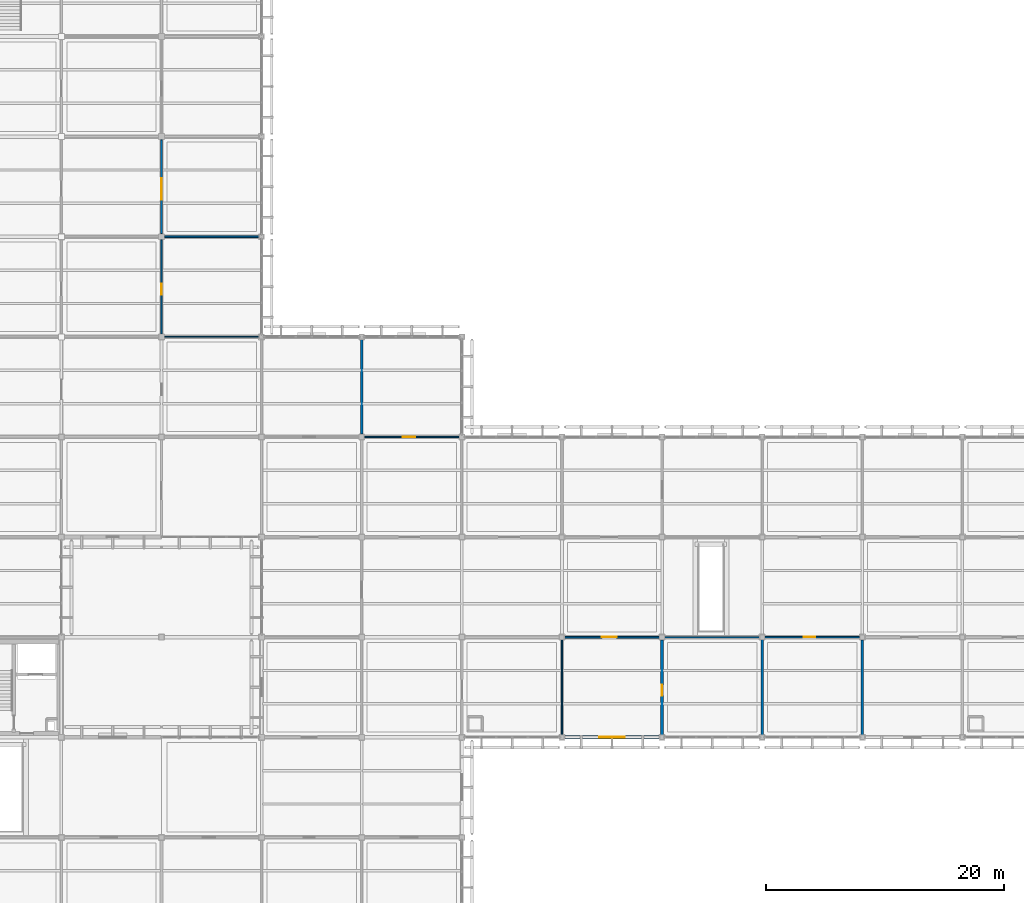
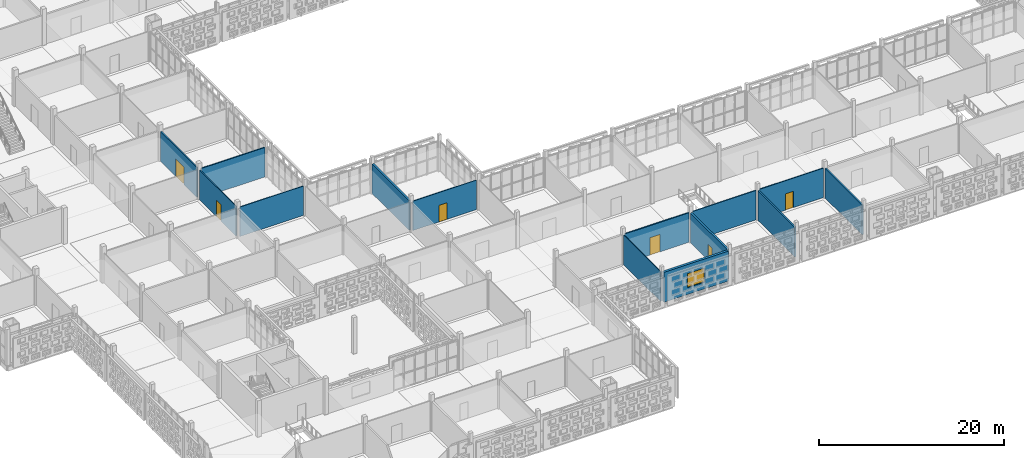
# One storey, part 116 of 203: 14 walls, 6 doors, 1 window, 7 openings.
"""IFC4 building model written with IfcOpenShell, lengths in metres."""

from ifc_helpers import new_model, si_unit, direction, frame, frame_2d, origin, place, context, subcontext, project, spatial, rectangle, extrude, material, layer, layer_set, type_object, element, fill, save


model = new_model("IFC4")

# Units and contexts
model_context = context("Model", 3, precision=1e-05, world=origin(), true_north=direction((0.0, 1.0)))
body_context = subcontext(model_context, "Body", "Model", "MODEL_VIEW")
ifc_project = project(units=[si_unit("LENGTHUNIT", "METRE"), si_unit("AREAUNIT", "SQUARE_METRE"), si_unit("VOLUMEUNIT", "CUBIC_METRE"), si_unit("PLANEANGLEUNIT", "RADIAN"), si_unit("MASSUNIT", "GRAM", prefix="KILO")], contexts=[model_context])

# Site, building, storey
site_placement = place(None, origin())
site = spatial("IfcSite", under=ifc_project, at=site_placement, CompositionType="ELEMENT")
building_placement = place(site_placement, origin())
building = spatial("IfcBuilding", under=site, at=building_placement, Name="Varnapada Polytechnic", CompositionType="ELEMENT")
storey_placement = place(building_placement, frame((0.0, 0.0, 4.800048828125)))
storey = spatial("IfcBuildingStorey", under=building, at=storey_placement, Name="L01", CompositionType="ELEMENT", Elevation=4.800048828125)

# Wall, opening, door
ifc_material_1 = material(Name="Autoclaved Aerated Concrete Block AAC-600", Category="concrete")
ifc_layer_1 = layer(ifc_material_1, 0.14990234375)
ifc_layer_set_1 = layer_set([ifc_layer_1], Name="Autoclaved Aerated Concrete Block AAC-600")
wall_type_1 = type_object("IfcWallType", Name="Interior Wall IW-02", PredefinedType="PARTITIONING", material=ifc_layer_set_1)
wall_1_placement = place(storey_placement, frame((67.409912109375, 25.199951171875, 0.0), z_axis=(0.0, 0.0, 1.0), x_axis=(1.0, 0.0, 0.0)))
wall_1 = element("IfcWall", 1, at=wall_1_placement, inside=storey, type_object=wall_type_1, Name="L01 interior partition IW-L01-08-02-H", PredefinedType="PARTITIONING", context=body_context, shape_type="SweptSolid", body=[
    extrude(rectangle(XDim=7.969970703125, YDim=0.14990234375, at=frame_2d((3.98486328125, 0.0))), origin(), (0.0, 0.0, 1.0), 3.889892578125),
])
opening_1_placement = place(wall_1_placement, frame((3.125, 0.0, 0.0)))
opening_1 = element("IfcOpeningElement", 2, at=opening_1_placement, cuts=wall_1, Name="Opening D-1017", PredefinedType="OPENING", context=body_context, shape_type="SweptSolid", body=[
    extrude(rectangle(XDim=1.25, YDim=2.300048828125, at=frame_2d((0.625, 1.14990234375))), frame((0.0, 0.0849609375, 0.0), z_axis=(0.0, -1.0, 0.0), x_axis=(1.0, 0.0, 0.0)), (0.0, 0.0, 1.0), 0.169921875),
])
ifc_material_2 = material(Name="Solid Teak Hardwood Timber", Category="wood")
door_type_1 = type_object("IfcDoorType", Name="Interior Door ID-16", OperationType="NOTDEFINED", PredefinedType="DOOR", material=ifc_material_2)
door_1_placement = place(opening_1_placement, origin())
door_1 = element("IfcDoor", 3, at=door_1_placement, inside=storey, type_object=door_type_1, Name="L01 interior room door D-1017", OperationType="SINGLE_SWING_RIGHT", OverallHeight=2.300048828125, OverallWidth=1.25, PredefinedType="DOOR", context=body_context, shape_type="SweptSolid", body=[
    extrude(rectangle(XDim=1.25, YDim=2.300048828125, at=frame_2d((0.625, 1.14990234375))), frame((0.0, 0.02490234375, 0.0), z_axis=(0.0, -1.0, 0.0), x_axis=(1.0, 0.0, 0.0)), (0.0, 0.0, 1.0), 0.050048828125),
])
fill(opening_1, door_1)

ifc_material_3 = material(Name="Gypsum Plasterboard Acoustic Partition")
ifc_layer_2 = layer(ifc_material_3, 0.125)
ifc_layer_set_2 = layer_set([ifc_layer_2], Name="Gypsum Plasterboard Acoustic Partition")
wall_type_2 = type_object("IfcWallType", Name="Interior Wall IW-03", PredefinedType="PARTITIONING", material=ifc_layer_set_2)
wall_2_placement = place(storey_placement, frame((33.60009765625, 50.64990234375, 0.0), z_axis=(0.0, 0.0, 1.0), x_axis=(0.0, 1.0, 0.0)))
wall_2 = element("IfcWall", 4, at=wall_2_placement, inside=storey, type_object=wall_type_2, Name="L01 interior partition IW-L01-03-06-V", PredefinedType="PARTITIONING", context=body_context, shape_type="SweptSolid", body=[
    extrude(rectangle(XDim=7.89013671875, YDim=0.125, at=frame_2d((3.945068359375, 0.0))), origin(), (0.0, 0.0, 1.0), 3.919921875),
])
opening_2_placement = place(wall_2_placement, frame((3.27490234375, 0.0, 0.0)))
opening_2 = element("IfcOpeningElement", 5, at=opening_2_placement, cuts=wall_2, Name="Opening D-987", PredefinedType="OPENING", context=body_context, shape_type="SweptSolid", body=[
    extrude(rectangle(XDim=0.949951171875, YDim=2.14990234375, at=frame_2d((0.47509765625, 1.074951171875))), frame((0.0, 0.072509765625, 0.0), z_axis=(0.0, -1.0, 0.0), x_axis=(1.0, 0.0, 0.0)), (0.0, 0.0, 1.0), 0.14501953125),
])
ifc_material_4 = material(Name="Moisture-Resistant HPL Timber", Category="wood")
door_type_2 = type_object("IfcDoorType", Name="Interior Door ID-03", OperationType="NOTDEFINED", PredefinedType="DOOR", material=ifc_material_4)
door_2_placement = place(opening_2_placement, origin())
door_2 = element("IfcDoor", 6, at=door_2_placement, inside=storey, type_object=door_type_2, Name="L01 interior room door D-987", OperationType="SINGLE_SWING_RIGHT", OverallHeight=2.14990234375, OverallWidth=0.949951171875, PredefinedType="DOOR", context=body_context, shape_type="SweptSolid", body=[
    extrude(rectangle(XDim=0.949951171875, YDim=2.14990234375, at=frame_2d((0.47509765625, 1.074951171875))), frame((0.0, 0.02490234375, 0.0), z_axis=(0.0, -1.0, 0.0), x_axis=(1.0, 0.0, 0.0)), (0.0, 0.0, 1.0), 0.050048828125),
])
fill(opening_2, door_2)

ifc_material_5 = material(Name="Cross-laminated timber CLT C24", Category="wood")
ifc_layer_3 = layer(ifc_material_5, 0.159912109375)
ifc_layer_set_3 = layer_set([ifc_layer_3], Name="Cross-laminated timber CLT C24")
wall_type_3 = type_object("IfcWallType", Name="Interior Wall IW-05", PredefinedType="PARTITIONING", material=ifc_layer_set_3)
wall_3_placement = place(storey_placement, frame((33.60009765625, 59.06005859375, 0.0), z_axis=(0.0, 0.0, 1.0), x_axis=(0.0, 1.0, 0.0)))
wall_3 = element("IfcWall", 7, at=wall_3_placement, inside=storey, type_object=wall_type_3, Name="L01 interior partition IW-L01-03-07-V", PredefinedType="PARTITIONING", context=body_context, shape_type="SweptSolid", body=[
    extrude(rectangle(XDim=7.869873046875, YDim=0.159912109375, at=frame_2d((3.93505859375, 0.0))), origin(), (0.0, 0.0, 1.0), 3.919921875),
])
opening_3_placement = place(wall_3_placement, frame((2.85009765625, 0.0, 0.0)))
opening_3 = element("IfcOpeningElement", 8, at=opening_3_placement, cuts=wall_3, Name="Opening D-988", PredefinedType="OPENING", context=body_context, shape_type="SweptSolid", body=[
    extrude(rectangle(XDim=1.800048828125, YDim=2.300048828125, at=frame_2d((0.89990234375, 1.14990234375))), frame((0.0, 0.08984375, 0.0), z_axis=(0.0, -1.0, 0.0), x_axis=(1.0, 0.0, 0.0)), (0.0, 0.0, 1.0), 0.179931640625),
])
ifc_material_6 = material(Name="Acoustic Double Timber Leaf", Category="wood")
door_type_3 = type_object("IfcDoorType", Name="Interior Door ID-04", OperationType="NOTDEFINED", PredefinedType="DOOR", material=ifc_material_6)
door_3_placement = place(opening_3_placement, origin())
door_3 = element("IfcDoor", 9, at=door_3_placement, inside=storey, type_object=door_type_3, Name="L01 interior room door D-988", OperationType="SINGLE_SWING_LEFT", OverallHeight=2.300048828125, OverallWidth=1.800048828125, PredefinedType="DOOR", context=body_context, shape_type="SweptSolid", body=[
    extrude(rectangle(XDim=1.800048828125, YDim=2.300048828125, at=frame_2d((0.89990234375, 1.14990234375))), frame((0.0, 0.02490234375, 0.0), z_axis=(0.0, -1.0, 0.0), x_axis=(1.0, 0.0, 0.0)), (0.0, 0.0, 1.0), 0.050048828125),
])
fill(opening_3, door_3)

# Walls
ifc_material_7 = material(Name="Acoustic Double-Stud Studio Partition")
ifc_layer_4 = layer(ifc_material_7, 0.179931640625)
ifc_layer_set_4 = layer_set([ifc_layer_4], Name="Acoustic Double-Stud Studio Partition")
wall_type_4 = type_object("IfcWallType", Name="Interior Wall IW-06", PredefinedType="PARTITIONING", material=ifc_layer_set_4)
wall_4_placement = place(storey_placement, frame((84.0, 17.0, 0.0), z_axis=(0.0, 0.0, 1.0), x_axis=(0.0, 1.0, 0.0)))
element("IfcWall", 10, at=wall_4_placement, inside=storey, type_object=wall_type_4, Name="L01 interior partition IW-L01-09-02-V", PredefinedType="PARTITIONING", context=body_context, shape_type="SweptSolid", body=[
    extrude(rectangle(XDim=7.989990234375, YDim=0.179931640625, at=frame_2d((3.9951171875, 0.0))), origin(), (0.0, 0.0, 1.0), 3.919921875),
])
ifc_material_8 = material(Name="Glazed Timber-Framed Studio Screen", Category="wood")
ifc_layer_5 = layer(ifc_material_8, 0.110107421875)
ifc_layer_set_5 = layer_set([ifc_layer_5], Name="Glazed Timber-Framed Studio Screen")
wall_type_5 = type_object("IfcWallType", Name="Interior Wall IW-07", PredefinedType="PARTITIONING", material=ifc_layer_set_5)
wall_5_placement = place(storey_placement, frame((75.820068359375, 25.199951171875, 0.0), z_axis=(0.0, 0.0, 1.0), x_axis=(1.0, 0.0, 0.0)))
element("IfcWall", 11, at=wall_5_placement, inside=storey, type_object=wall_type_5, Name="L01 interior partition IW-L01-09-02-H", PredefinedType="PARTITIONING", context=body_context, shape_type="SweptSolid", body=[
    extrude(rectangle(XDim=7.969970703125, YDim=0.110107421875, at=frame_2d((3.98486328125, 0.0))), origin(), (0.0, 0.0, 1.0), 3.889892578125),
])
ifc_material_9 = material(Name="Operable Acoustic Seminar Partition")
ifc_layer_6 = layer(ifc_material_9, 0.10009765625)
ifc_layer_set_6 = layer_set([ifc_layer_6], Name="Operable Acoustic Seminar Partition")
wall_type_6 = type_object("IfcWallType", Name="Interior Wall IW-08", PredefinedType="MOVABLE", material=ifc_layer_set_6)
wall_6_placement = place(storey_placement, frame((33.85009765625, 50.39990234375, 0.0), z_axis=(0.0, 0.0, 1.0), x_axis=(1.0, 0.0, 0.0)))
element("IfcWall", 12, at=wall_6_placement, inside=storey, type_object=wall_type_6, Name="L01 interior partition IW-L01-04-05-H", PredefinedType="MOVABLE", context=body_context, shape_type="SweptSolid", body=[
    extrude(rectangle(XDim=7.949951171875, YDim=0.10009765625, at=frame_2d((3.97509765625, 0.0))), origin(), (0.0, 0.0, 1.0), 3.889892578125),
])

# Wall, opening, door
wall_7_placement = place(storey_placement, frame((50.6298828125, 42.0, 0.0), z_axis=(0.0, 0.0, 1.0), x_axis=(1.0, 0.0, 0.0)))
wall_7 = element("IfcWall", 13, at=wall_7_placement, inside=storey, type_object=wall_type_6, Name="L01 interior partition IW-L01-06-04-H", PredefinedType="MOVABLE", context=body_context, shape_type="SweptSolid", body=[
    extrude(rectangle(XDim=7.940185546875, YDim=0.10009765625, at=frame_2d((3.97021484375, 0.0))), origin(), (0.0, 0.0, 1.0), 3.889892578125),
])
opening_4_placement = place(wall_7_placement, frame((3.22509765625, 0.0, 0.0)))
opening_4 = element("IfcOpeningElement", 14, at=opening_4_placement, cuts=wall_7, Name="Opening D-1010", PredefinedType="OPENING", context=body_context, shape_type="SweptSolid", body=[
    extrude(rectangle(XDim=1.050048828125, YDim=2.199951171875, at=frame_2d((0.52490234375, 1.10009765625))), frame((0.0, 0.06005859375, 0.0), z_axis=(0.0, -1.0, 0.0), x_axis=(1.0, 0.0, 0.0)), (0.0, 0.0, 1.0), 0.1201171875),
])
door_type_4 = type_object("IfcDoorType", Name="Interior Door ID-09", OperationType="NOTDEFINED", PredefinedType="DOOR", material=ifc_material_2)
door_4_placement = place(opening_4_placement, frame((1.050048828125, 0.0, 0.0), z_axis=(0.0, 0.0, 1.0), x_axis=(-1.0, 0.0, 0.0)))
door_4 = element("IfcDoor", 15, at=door_4_placement, inside=storey, type_object=door_type_4, Name="L01 interior room door D-1010", OperationType="SINGLE_SWING_LEFT", OverallHeight=2.199951171875, OverallWidth=1.050048828125, PredefinedType="DOOR", context=body_context, shape_type="SweptSolid", body=[
    extrude(rectangle(XDim=1.050048828125, YDim=2.199951171875, at=frame_2d((0.52490234375, 1.10009765625))), frame((0.0, 0.02490234375, 0.0), z_axis=(0.0, -1.0, 0.0), x_axis=(1.0, 0.0, 0.0)), (0.0, 0.0, 1.0), 0.050048828125),
])
fill(opening_4, door_4)

# Walls
ifc_material_10 = material(Name="Calcium Silicate Acoustic Lab Partition")
ifc_layer_7 = layer(ifc_material_10, 0.135009765625)
ifc_layer_set_7 = layer_set([ifc_layer_7], Name="Calcium Silicate Acoustic Lab Partition")
wall_type_7 = type_object("IfcWallType", Name="Interior Wall IW-09", PredefinedType="PARTITIONING", material=ifc_layer_set_7)
wall_8_placement = place(storey_placement, frame((33.860107421875, 58.800048828125, 0.0), z_axis=(0.0, 0.0, 1.0), x_axis=(1.0, 0.0, 0.0)))
element("IfcWall", 16, at=wall_8_placement, inside=storey, type_object=wall_type_7, Name="L01 interior partition IW-L01-04-06-H", PredefinedType="PARTITIONING", context=body_context, shape_type="SweptSolid", body=[
    extrude(rectangle(XDim=7.949951171875, YDim=0.135009765625, at=frame_2d((3.97509765625, 0.0))), origin(), (0.0, 0.0, 1.0), 3.889892578125),
])
ifc_material_11 = material(Name="Insulated Masonry Plant Room Wall", Category="masonry")
ifc_layer_8 = layer(ifc_material_11, 0.18994140625)
ifc_layer_set_8 = layer_set([ifc_layer_8], Name="Insulated Masonry Plant Room Wall")
wall_type_8 = type_object("IfcWallType", Name="Interior Wall IW-11", PredefinedType="PARTITIONING", material=ifc_layer_set_8)
wall_9_placement = place(storey_placement, frame((92.39990234375, 17.0, 0.0), z_axis=(0.0, 0.0, 1.0), x_axis=(0.0, 1.0, 0.0)))
element("IfcWall", 17, at=wall_9_placement, inside=storey, type_object=wall_type_8, Name="L01 interior partition IW-L01-10-02-V", PredefinedType="PARTITIONING", context=body_context, shape_type="SweptSolid", body=[
    extrude(rectangle(XDim=7.97998046875, YDim=0.18994140625, at=frame_2d((3.989990234375, 0.0))), origin(), (0.0, 0.0, 1.0), 3.919921875),
])
ifc_material_12 = material(Name="Timber-Stud Studio Critique Partition", Category="wood")
ifc_layer_9 = layer(ifc_material_12, 0.114990234375)
ifc_layer_set_9 = layer_set([ifc_layer_9], Name="Timber-Stud Studio Critique Partition")
wall_type_9 = type_object("IfcWallType", Name="Interior Wall IW-12", PredefinedType="PARTITIONING", material=ifc_layer_set_9)
wall_10_placement = place(storey_placement, frame((67.199951171875, 17.0, 0.0), z_axis=(0.0, 0.0, 1.0), x_axis=(0.0, 1.0, 0.0)))
element("IfcWall", 18, at=wall_10_placement, inside=storey, type_object=wall_type_9, Name="L01 interior partition IW-L01-07-02-V", PredefinedType="PARTITIONING", context=body_context, shape_type="SweptSolid", body=[
    extrude(rectangle(XDim=7.989990234375, YDim=0.114990234375, at=frame_2d((3.9951171875, 0.0))), origin(), (0.0, 0.0, 1.0), 3.919921875),
])

# Wall, opening, door
wall_11_placement = place(storey_placement, frame((84.2099609375, 25.199951171875, 0.0), z_axis=(0.0, 0.0, 1.0), x_axis=(1.0, 0.0, 0.0)))
wall_11 = element("IfcWall", 19, at=wall_11_placement, inside=storey, type_object=wall_type_9, Name="L01 interior partition IW-L01-10-02-H", PredefinedType="PARTITIONING", context=body_context, shape_type="SweptSolid", body=[
    extrude(rectangle(XDim=7.969970703125, YDim=0.114990234375, at=frame_2d((3.98486328125, 0.0))), origin(), (0.0, 0.0, 1.0), 3.889892578125),
])
opening_5_placement = place(wall_11_placement, frame((3.27490234375, 0.0, 0.0)))
opening_5 = element("IfcOpeningElement", 20, at=opening_5_placement, cuts=wall_11, Name="Opening D-1021", PredefinedType="OPENING", context=body_context, shape_type="SweptSolid", body=[
    extrude(rectangle(XDim=0.949951171875, YDim=2.14990234375, at=frame_2d((0.47509765625, 1.074951171875))), frame((0.0, 0.0673828125, 0.0), z_axis=(0.0, -1.0, 0.0), x_axis=(1.0, 0.0, 0.0)), (0.0, 0.0, 1.0), 0.135009765625),
])
door_5_placement = place(opening_5_placement, origin())
door_5 = element("IfcDoor", 21, at=door_5_placement, inside=storey, type_object=door_type_2, Name="L01 interior room door D-1021", OperationType="SINGLE_SWING_RIGHT", OverallHeight=2.14990234375, OverallWidth=0.949951171875, PredefinedType="DOOR", context=body_context, shape_type="SweptSolid", body=[
    extrude(rectangle(XDim=0.949951171875, YDim=2.14990234375, at=frame_2d((0.47509765625, 1.074951171875))), frame((0.0, 0.02490234375, 0.0), z_axis=(0.0, -1.0, 0.0), x_axis=(1.0, 0.0, 0.0)), (0.0, 0.0, 1.0), 0.050048828125),
])
fill(opening_5, door_5)

# Wall
ifc_material_13 = material(Name="Heavy Acoustic Auditorium Baffle Wall")
ifc_layer_10 = layer(ifc_material_13, 0.219970703125)
ifc_layer_set_10 = layer_set([ifc_layer_10], Name="Heavy Acoustic Auditorium Baffle Wall")
wall_type_10 = type_object("IfcWallType", Name="Interior Wall IW-13", PredefinedType="PARTITIONING", material=ifc_layer_set_10)
wall_12_placement = place(storey_placement, frame((50.39990234375, 42.22998046875, 0.0), z_axis=(0.0, 0.0, 1.0), x_axis=(0.0, 1.0, 0.0)))
element("IfcWall", 22, at=wall_12_placement, inside=storey, type_object=wall_type_10, Name="L01 interior partition IW-L01-05-05-V", PredefinedType="PARTITIONING", context=body_context, shape_type="SweptSolid", body=[
    extrude(rectangle(XDim=7.969970703125, YDim=0.219970703125, at=frame_2d((3.98486328125, 0.0))), origin(), (0.0, 0.0, 1.0), 3.919921875),
])

# Wall, opening, door
ifc_material_14 = material(Name="Double-Leaf Acoustic Lecture Wall")
ifc_layer_11 = layer(ifc_material_14, 0.235107421875)
ifc_layer_set_11 = layer_set([ifc_layer_11], Name="Double-Leaf Acoustic Lecture Wall")
wall_type_11 = type_object("IfcWallType", Name="Interior Wall IW-17", PredefinedType="PARTITIONING", material=ifc_layer_set_11)
wall_13_placement = place(storey_placement, frame((75.60009765625, 17.0, 0.0), z_axis=(0.0, 0.0, 1.0), x_axis=(0.0, 1.0, 0.0)))
wall_13 = element("IfcWall", 23, at=wall_13_placement, inside=storey, type_object=wall_type_11, Name="L01 interior partition IW-L01-08-02-V", PredefinedType="PARTITIONING", context=body_context, shape_type="SweptSolid", body=[
    extrude(rectangle(XDim=7.97998046875, YDim=0.235107421875, at=frame_2d((3.989990234375, 0.0))), origin(), (0.0, 0.0, 1.0), 3.919921875),
])
opening_6_placement = place(wall_13_placement, frame((3.300048828125, 0.0, 0.0)))
opening_6 = element("IfcOpeningElement", 24, at=opening_6_placement, cuts=wall_13, Name="Opening D-1016", PredefinedType="OPENING", context=body_context, shape_type="SweptSolid", body=[
    extrude(rectangle(XDim=0.89990234375, YDim=2.10009765625, at=frame_2d((0.449951171875, 1.050048828125))), frame((0.0, 0.12744140625, 0.0), z_axis=(0.0, -1.0, 0.0), x_axis=(1.0, 0.0, 0.0)), (0.0, 0.0, 1.0), 0.255126953125),
])
door_type_5 = type_object("IfcDoorType", Name="Interior Door ID-15", OperationType="NOTDEFINED", PredefinedType="DOOR", material=ifc_material_4)
door_6_placement = place(opening_6_placement, frame((0.89990234375, 0.0, 0.0), z_axis=(0.0, 0.0, 1.0), x_axis=(-1.0, 0.0, 0.0)))
door_6 = element("IfcDoor", 25, at=door_6_placement, inside=storey, type_object=door_type_5, Name="L01 interior room door D-1016", OperationType="SINGLE_SWING_LEFT", OverallHeight=2.10009765625, OverallWidth=0.89990234375, PredefinedType="DOOR", context=body_context, shape_type="SweptSolid", body=[
    extrude(rectangle(XDim=0.89990234375, YDim=2.10009765625, at=frame_2d((0.449951171875, 1.050048828125))), frame((0.0, 0.02490234375, 0.0), z_axis=(0.0, -1.0, 0.0), x_axis=(1.0, 0.0, 0.0)), (0.0, 0.0, 1.0), 0.050048828125),
])
fill(opening_6, door_6)

# Wall, opening, window
ifc_material_15 = material(Name="Precast concrete C40/50", Category="concrete")
ifc_layer_12 = layer(ifc_material_15, 0.300048828125)
ifc_layer_set_12 = layer_set([ifc_layer_12], Name="Precast concrete C40/50")
wall_type_12 = type_object("IfcWallType", Name="Wall EW-01", PredefinedType="SOLIDWALL", material=ifc_layer_set_12)
wall_14_placement = place(storey_placement, frame((75.419921875, 16.800048828125, 0.0), z_axis=(0.0, 0.0, 1.0), x_axis=(-1.0, 0.0, 0.0)))
wall_14 = element("IfcWall", 26, at=wall_14_placement, inside=storey, type_object=wall_type_12, Name="L01 exterior wall EW-01 (60)", PredefinedType="SOLIDWALL", context=body_context, shape_type="SweptSolid", body=[
    extrude(rectangle(XDim=8.0400390625, YDim=0.300048828125, at=frame_2d((4.02001953125, 0.0))), origin(), (0.0, 0.0, 1.0), 3.9599609375),
])
opening_7_placement = place(wall_14_placement, frame((2.945068359375, 0.0, 0.89990234375)))
opening_7 = element("IfcOpeningElement", 27, at=opening_7_placement, cuts=wall_14, Name="Opening WN-25", PredefinedType="OPENING", context=body_context, shape_type="SweptSolid", body=[
    extrude(rectangle(XDim=2.14990234375, YDim=1.85009765625, at=frame_2d((1.074951171875, 0.925048828125))), frame((0.0, 0.159912109375, 0.0), z_axis=(0.0, -1.0, 0.0), x_axis=(1.0, 0.0, 0.0)), (0.0, 0.0, 1.0), 0.320068359375),
])
ifc_material_16 = material(Name="Double low-E laminated glass", Category="glass")
window_type = type_object("IfcWindowType", Name="Window WN-25", PartitioningType="SINGLE_PANEL", PredefinedType="WINDOW", material=ifc_material_16)
window_placement = place(opening_7_placement, origin())
window = element("IfcWindow", 28, at=window_placement, inside=storey, type_object=window_type, Name="L01 window WN-25 (79)", OverallHeight=1.85009765625, OverallWidth=2.14990234375, PartitioningType="SINGLE_PANEL", PredefinedType="WINDOW", context=body_context, shape_type="SweptSolid", body=[
    extrude(rectangle(XDim=2.14990234375, YDim=1.85009765625, at=frame_2d((1.074951171875, 0.925048828125))), frame((0.0, 0.030029296875, 0.0), z_axis=(0.0, -1.0, 0.0), x_axis=(1.0, 0.0, 0.0)), (0.0, 0.0, 1.0), 0.06005859375),
])
fill(opening_7, window)

save(model, "model.ifc")
